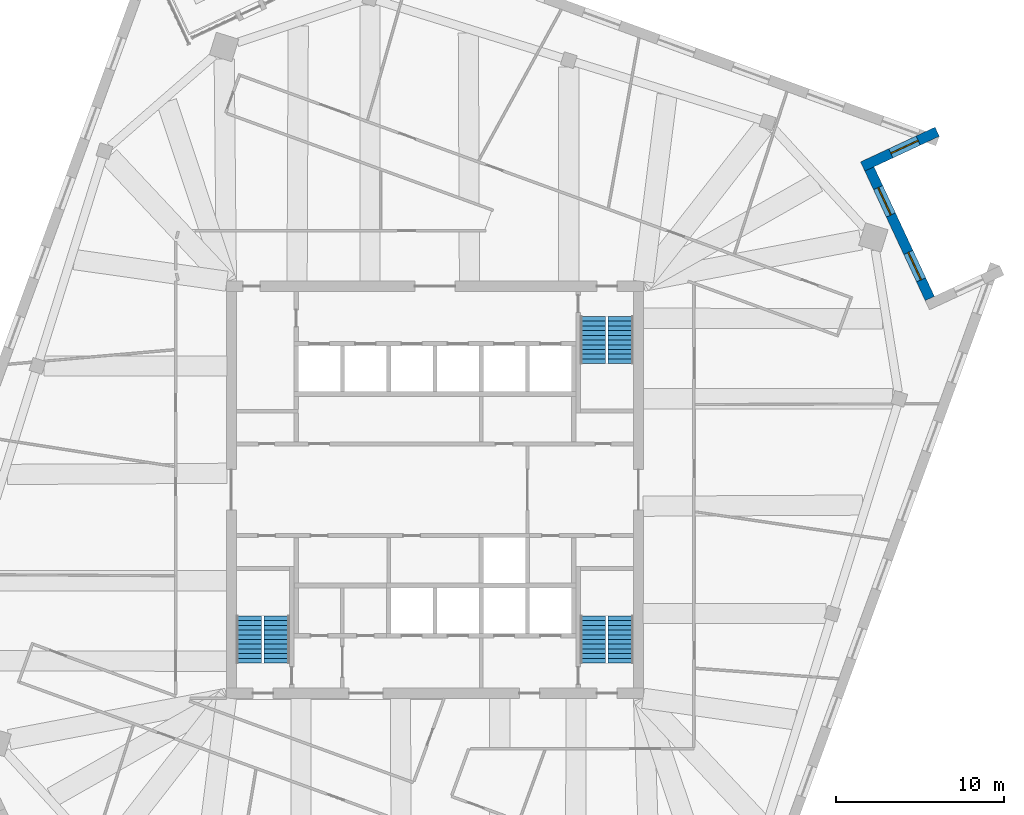
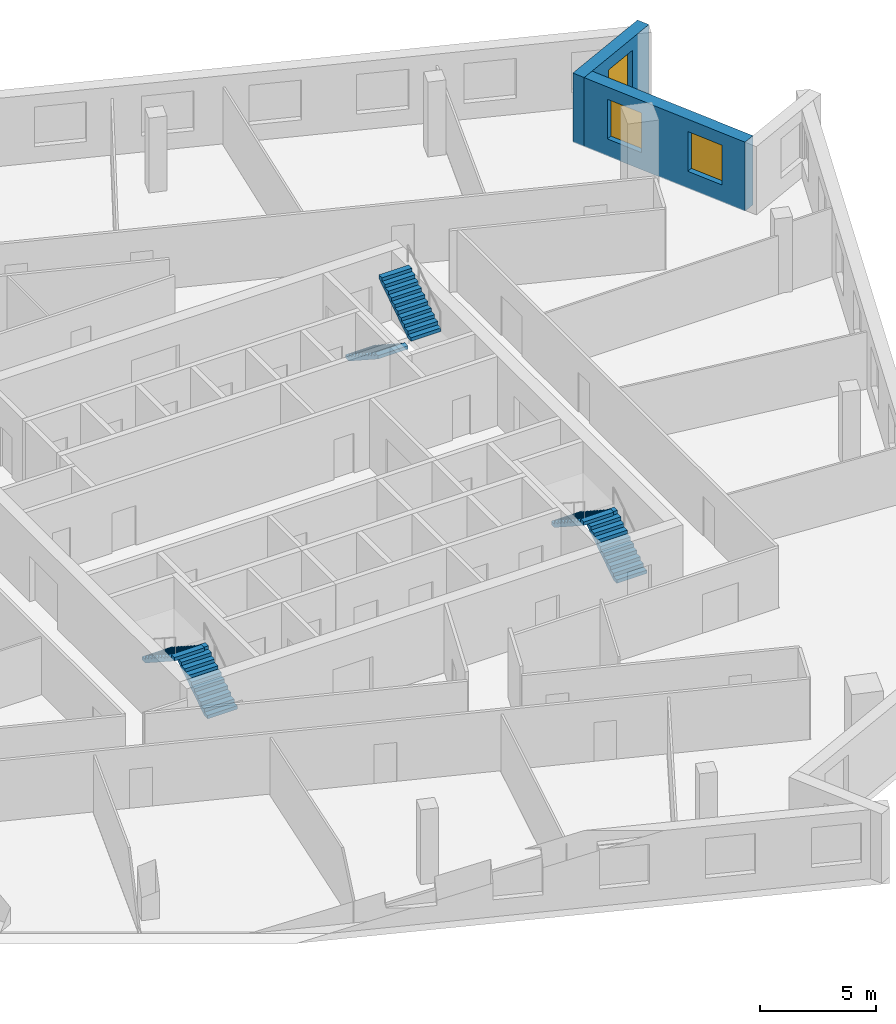
# One storey, part 11 of 13: 6 stair flights, 3 windows, 2 walls, 3 openings, 3 elements without a shape of their own.
"""IFC4 building model written with IfcOpenShell, lengths in metres."""

from ifc_helpers import new_model, si_unit, direction, frame, frame_2d, origin, place, context, subcontext, project, spatial, polyline, rectangle, outline, extrude, material, layer, layer_set, type_object, element, fill, aggregate, save


model = new_model("IFC4")

# Units and contexts
model_context = context("Model", 3, precision=1e-05, world=origin(), true_north=direction((0.0, 1.0)))
body_context = subcontext(model_context, "Body", "Model", "MODEL_VIEW")
ifc_project = project(units=[si_unit("LENGTHUNIT", "METRE"), si_unit("AREAUNIT", "SQUARE_METRE"), si_unit("VOLUMEUNIT", "CUBIC_METRE"), si_unit("PLANEANGLEUNIT", "RADIAN"), si_unit("MASSUNIT", "GRAM", prefix="KILO")], contexts=[model_context])

# Site, building, storey
site_placement = place(None, origin())
site = spatial("IfcSite", under=ifc_project, at=site_placement, CompositionType="ELEMENT")
building_placement = place(site_placement, origin())
building = spatial("IfcBuilding", under=site, at=building_placement, Name="Dilmun Exchange Tower", CompositionType="ELEMENT")
storey_placement = place(building_placement, frame((0.0, 0.0, 304.5)))
storey = spatial("IfcBuildingStorey", under=building, at=storey_placement, Name="L72", CompositionType="ELEMENT", Elevation=304.5)

# Wall, openings, windows
ifc_material_1 = material(Name="Precast concrete C50/60", Category="concrete")
ifc_layer = layer(ifc_material_1, 0.60009765625)
ifc_layer_set = layer_set([ifc_layer], Name="Precast concrete C50/60")
wall_type = type_object("IfcWallType", Name="Precast stone-clad wall 600", PredefinedType="STANDARD", material=ifc_layer_set)
wall_1_placement = place(storey_placement, frame((29.420654296875, 11.370361328125, 0.0), z_axis=(0.0, 0.0, 1.0), x_axis=(-0.42259769246, 0.906317378365, 0.0)))
wall_1 = element("IfcWall", 1, at=wall_1_placement, inside=storey, type_object=wall_type, Name="Facade wall L72-13", PredefinedType="STANDARD", context=body_context, shape_type="SweptSolid", body=[
    extrude(rectangle(XDim=8.5, YDim=0.60009765625, at=frame_2d((4.25, 0.0))), origin(), (0.0, 0.0, 1.0), 3.64990234375),
])
opening_1_placement = place(wall_1_placement, frame((1.22509765625, 0.0, 0.89990234375)))
opening_1 = element("IfcOpeningElement", 2, at=opening_1_placement, cuts=wall_1, Name="Opening W180-210", PredefinedType="OPENING", context=body_context, shape_type="SweptSolid", body=[
    extrude(rectangle(XDim=1.800048828125, YDim=2.10009765625, at=frame_2d((0.89990234375, 1.050048828125))), frame((0.0, 0.31005859375, 0.0), z_axis=(0.0, -1.0, 0.0), x_axis=(1.0, 0.0, 0.0)), (0.0, 0.0, 1.0), 0.6201171875),
])
opening_2_placement = place(wall_1_placement, frame((5.47509765625, 0.0, 0.89990234375)))
opening_2 = element("IfcOpeningElement", 3, at=opening_2_placement, cuts=wall_1, Name="Opening W180-210", PredefinedType="OPENING", context=body_context, shape_type="SweptSolid", body=[
    extrude(rectangle(XDim=1.800048828125, YDim=2.10009765625, at=frame_2d((0.89990234375, 1.050048828125))), frame((0.0, 0.31005859375, 0.0), z_axis=(0.0, -1.0, 0.0), x_axis=(1.0, 0.0, 0.0)), (0.0, 0.0, 1.0), 0.6201171875),
])
ifc_material_2 = material(Name="Clear low-emissivity glass in aluminium frame", Category="aluminium")
window_type = type_object("IfcWindowType", Name="Punched window 1800 x 2100", PartitioningType="DOUBLE_PANEL_VERTICAL", PredefinedType="WINDOW", material=ifc_material_2)
window_1_placement = place(opening_1_placement, origin())
window_1 = element("IfcWindow", 4, at=window_1_placement, inside=storey, type_object=window_type, Name="Window 14.1", OverallHeight=2.10009765625, OverallWidth=1.800048828125, PartitioningType="SINGLE_PANEL", PredefinedType="WINDOW", context=body_context, shape_type="SweptSolid", body=[
    extrude(rectangle(XDim=1.800048828125, YDim=2.10009765625, at=frame_2d((0.89990234375, 1.050048828125))), frame((0.0, 0.030029296875, 0.0), z_axis=(0.0, -1.0, 0.0), x_axis=(1.0, 0.0, 0.0)), (0.0, 0.0, 1.0), 0.06005859375),
])
fill(opening_1, window_1)
window_2_placement = place(opening_2_placement, origin())
window_2 = element("IfcWindow", 5, at=window_2_placement, inside=storey, type_object=window_type, Name="Window 14.2", OverallHeight=2.10009765625, OverallWidth=1.800048828125, PartitioningType="SINGLE_PANEL", PredefinedType="WINDOW", context=body_context, shape_type="SweptSolid", body=[
    extrude(rectangle(XDim=1.800048828125, YDim=2.10009765625, at=frame_2d((0.89990234375, 1.050048828125))), frame((0.0, 0.030029296875, 0.0), z_axis=(0.0, -1.0, 0.0), x_axis=(1.0, 0.0, 0.0)), (0.0, 0.0, 1.0), 0.06005859375),
])
fill(opening_2, window_2)

# Wall, opening, window
wall_2_placement = place(storey_placement, frame((25.4296875, 19.218994140625, 0.0), z_axis=(0.0, 0.0, 1.0), x_axis=(0.906315863802, 0.422600940628, 0.0)))
wall_2 = element("IfcWall", 6, at=wall_2_placement, inside=storey, type_object=wall_type, Name="Facade wall L72-14", PredefinedType="STANDARD", context=body_context, shape_type="SweptSolid", body=[
    extrude(rectangle(XDim=4.8857421875, YDim=0.60009765625, at=frame_2d((2.44287109375, 0.0))), origin(), (0.0, 0.0, 1.0), 3.64990234375),
])
opening_3_placement = place(wall_2_placement, frame((1.8427734375, 0.0, 0.89990234375)))
opening_3 = element("IfcOpeningElement", 7, at=opening_3_placement, cuts=wall_2, Name="Opening W180-210", PredefinedType="OPENING", context=body_context, shape_type="SweptSolid", body=[
    extrude(rectangle(XDim=1.800048828125, YDim=2.10009765625, at=frame_2d((0.89990234375, 1.050048828125))), frame((0.0, 0.31005859375, 0.0), z_axis=(0.0, -1.0, 0.0), x_axis=(1.0, 0.0, 0.0)), (0.0, 0.0, 1.0), 0.6201171875),
])
window_3_placement = place(opening_3_placement, origin())
window_3 = element("IfcWindow", 8, at=window_3_placement, inside=storey, type_object=window_type, Name="Window 15.1", OverallHeight=2.10009765625, OverallWidth=1.800048828125, PartitioningType="SINGLE_PANEL", PredefinedType="WINDOW", context=body_context, shape_type="SweptSolid", body=[
    extrude(rectangle(XDim=1.800048828125, YDim=2.10009765625, at=frame_2d((0.89990234375, 1.050048828125))), frame((0.0, 0.030029296875, 0.0), z_axis=(0.0, -1.0, 0.0), x_axis=(1.0, 0.0, 0.0)), (0.0, 0.0, 1.0), 0.06005859375),
])
fill(opening_3, window_3)

# Stair, stair flights
ifc_material_3 = material(Name="Concrete C40/50", Category="concrete")
stair_type = type_object("IfcStairType", Name="Exit stair 1500 half-turn", PredefinedType="HALF_TURN_STAIR", material=ifc_material_3)
stair_1_placement = place(storey_placement, origin())
stair_1 = element("IfcStair", 9, at=stair_1_placement, inside=storey, type_object=stair_type, Name="L72 Protected exit stair ST1", PredefinedType="HALF_TURN_STAIR")
stair_flight_type = type_object("IfcStairFlightType", Name="Exit stair flight 1500", PredefinedType="STRAIGHT", material=ifc_material_3)
stair_flight_1_placement = place(storey_placement, frame((9.39990234375, 10.300048828125, 0.0), z_axis=(0.0, 0.0, 1.0), x_axis=(0.0, -1.0, 0.0)))
stair_flight_1 = element("IfcStairFlight", 10, at=stair_flight_1_placement, type_object=stair_flight_type, Name="ST1 flight 1", NumberOfRisers=11, NumberOfTreads=10, PredefinedType="STRAIGHT", RiserHeight=0.181818182, TreadLength=0.28, context=body_context, shape_type="SweptSolid", body=[
    extrude(outline(polyline([(0.0, 0.0), (0.0, 0.181884765625), (0.280029296875, 0.181884765625), (0.280029296875, 0.363525390625), (0.56005859375, 0.363525390625), (0.56005859375, 0.54541015625), (0.840087890625, 0.54541015625), (0.840087890625, 0.727294921875), (1.1201171875, 0.727294921875), (1.1201171875, 0.9091796875), (1.39990234375, 0.9091796875), (1.39990234375, 1.0908203125), (1.679931640625, 1.0908203125), (1.679931640625, 1.272705078125), (1.9599609375, 1.272705078125), (1.9599609375, 1.45458984375), (2.239990234375, 1.45458984375), (2.239990234375, 1.636474609375), (2.52001953125, 1.636474609375), (2.52001953125, 1.818115234375), (2.800048828125, 1.818115234375), (2.800048828125, 2.0), (2.800048828125, 1.639404296875), (0.275146484375, 0.0), (0.0, 0.0)])), frame((0.0, 0.75, 0.0), z_axis=(0.0, -1.0, 0.0), x_axis=(1.0, 0.0, 0.0)), (0.0, 0.0, 1.0), 1.5),
])
stair_flight_2_placement = place(storey_placement, frame((11.050048828125, 7.5, 2.0), z_axis=(0.0, 0.0, 1.0), x_axis=(0.0, 1.0, 0.0)))
stair_flight_2 = element("IfcStairFlight", 11, at=stair_flight_2_placement, type_object=stair_flight_type, Name="ST1 flight 2", NumberOfRisers=11, NumberOfTreads=10, PredefinedType="STRAIGHT", RiserHeight=0.181818182, TreadLength=0.28, context=body_context, shape_type="SweptSolid", body=[
    extrude(outline(polyline([(0.0, 0.0), (0.0, 0.181884765625), (0.280029296875, 0.181884765625), (0.280029296875, 0.363525390625), (0.56005859375, 0.363525390625), (0.56005859375, 0.54541015625), (0.840087890625, 0.54541015625), (0.840087890625, 0.727294921875), (1.1201171875, 0.727294921875), (1.1201171875, 0.9091796875), (1.39990234375, 0.9091796875), (1.39990234375, 1.0908203125), (1.679931640625, 1.0908203125), (1.679931640625, 1.272705078125), (1.9599609375, 1.272705078125), (1.9599609375, 1.45458984375), (2.239990234375, 1.45458984375), (2.239990234375, 1.636474609375), (2.52001953125, 1.636474609375), (2.52001953125, 1.818115234375), (2.800048828125, 1.818115234375), (2.800048828125, 2.0), (2.800048828125, 1.639404296875), (0.275146484375, 0.0), (0.0, 0.0)])), frame((0.0, 0.75, 0.0), z_axis=(0.0, -1.0, 0.0), x_axis=(1.0, 0.0, 0.0)), (0.0, 0.0, 1.0), 1.5),
])
aggregate(stair_1, [stair_flight_1, stair_flight_2])

stair_2_placement = place(storey_placement, origin())
stair_2 = element("IfcStair", 12, at=stair_2_placement, inside=storey, type_object=stair_type, Name="L72 Protected exit stair ST2", PredefinedType="HALF_TURN_STAIR")
stair_flight_3_placement = place(storey_placement, frame((-9.39990234375, -10.300048828125, 0.0), z_axis=(0.0, 0.0, 1.0), x_axis=(0.0, 1.0, 0.0)))
stair_flight_3 = element("IfcStairFlight", 13, at=stair_flight_3_placement, type_object=stair_flight_type, Name="ST2 flight 1", NumberOfRisers=11, NumberOfTreads=10, PredefinedType="STRAIGHT", RiserHeight=0.181818182, TreadLength=0.28, context=body_context, shape_type="SweptSolid", body=[
    extrude(outline(polyline([(0.0, 0.0), (0.0, 0.181884765625), (0.280029296875, 0.181884765625), (0.280029296875, 0.363525390625), (0.56005859375, 0.363525390625), (0.56005859375, 0.54541015625), (0.840087890625, 0.54541015625), (0.840087890625, 0.727294921875), (1.1201171875, 0.727294921875), (1.1201171875, 0.9091796875), (1.39990234375, 0.9091796875), (1.39990234375, 1.0908203125), (1.679931640625, 1.0908203125), (1.679931640625, 1.272705078125), (1.9599609375, 1.272705078125), (1.9599609375, 1.45458984375), (2.239990234375, 1.45458984375), (2.239990234375, 1.636474609375), (2.52001953125, 1.636474609375), (2.52001953125, 1.818115234375), (2.800048828125, 1.818115234375), (2.800048828125, 2.0), (2.800048828125, 1.639404296875), (0.275146484375, 0.0), (0.0, 0.0)])), frame((0.0, 0.75, 0.0), z_axis=(0.0, -1.0, 0.0), x_axis=(1.0, 0.0, 0.0)), (0.0, 0.0, 1.0), 1.5),
])
stair_flight_4_placement = place(storey_placement, frame((-11.050048828125, -7.5, 2.0), z_axis=(0.0, 0.0, 1.0), x_axis=(0.0, -1.0, 0.0)))
stair_flight_4 = element("IfcStairFlight", 14, at=stair_flight_4_placement, type_object=stair_flight_type, Name="ST2 flight 2", NumberOfRisers=11, NumberOfTreads=10, PredefinedType="STRAIGHT", RiserHeight=0.181818182, TreadLength=0.28, context=body_context, shape_type="SweptSolid", body=[
    extrude(outline(polyline([(0.0, 0.0), (0.0, 0.181884765625), (0.280029296875, 0.181884765625), (0.280029296875, 0.363525390625), (0.56005859375, 0.363525390625), (0.56005859375, 0.54541015625), (0.840087890625, 0.54541015625), (0.840087890625, 0.727294921875), (1.1201171875, 0.727294921875), (1.1201171875, 0.9091796875), (1.39990234375, 0.9091796875), (1.39990234375, 1.0908203125), (1.679931640625, 1.0908203125), (1.679931640625, 1.272705078125), (1.9599609375, 1.272705078125), (1.9599609375, 1.45458984375), (2.239990234375, 1.45458984375), (2.239990234375, 1.636474609375), (2.52001953125, 1.636474609375), (2.52001953125, 1.818115234375), (2.800048828125, 1.818115234375), (2.800048828125, 2.0), (2.800048828125, 1.639404296875), (0.275146484375, 0.0), (0.0, 0.0)])), frame((0.0, 0.75, 0.0), z_axis=(0.0, -1.0, 0.0), x_axis=(1.0, 0.0, 0.0)), (0.0, 0.0, 1.0), 1.5),
])
aggregate(stair_2, [stair_flight_3, stair_flight_4])

stair_3_placement = place(storey_placement, origin())
stair_3 = element("IfcStair", 15, at=stair_3_placement, inside=storey, type_object=stair_type, Name="L72 Protected exit stair ST3", PredefinedType="HALF_TURN_STAIR")
stair_flight_5_placement = place(storey_placement, frame((11.050048828125, -10.300048828125, 0.0), z_axis=(0.0, 0.0, 1.0), x_axis=(0.0, 1.0, 0.0)))
stair_flight_5 = element("IfcStairFlight", 16, at=stair_flight_5_placement, type_object=stair_flight_type, Name="ST3 flight 1", NumberOfRisers=11, NumberOfTreads=10, PredefinedType="STRAIGHT", RiserHeight=0.181818182, TreadLength=0.28, context=body_context, shape_type="SweptSolid", body=[
    extrude(outline(polyline([(0.0, 0.0), (0.0, 0.181884765625), (0.280029296875, 0.181884765625), (0.280029296875, 0.363525390625), (0.56005859375, 0.363525390625), (0.56005859375, 0.54541015625), (0.840087890625, 0.54541015625), (0.840087890625, 0.727294921875), (1.1201171875, 0.727294921875), (1.1201171875, 0.9091796875), (1.39990234375, 0.9091796875), (1.39990234375, 1.0908203125), (1.679931640625, 1.0908203125), (1.679931640625, 1.272705078125), (1.9599609375, 1.272705078125), (1.9599609375, 1.45458984375), (2.239990234375, 1.45458984375), (2.239990234375, 1.636474609375), (2.52001953125, 1.636474609375), (2.52001953125, 1.818115234375), (2.800048828125, 1.818115234375), (2.800048828125, 2.0), (2.800048828125, 1.639404296875), (0.275146484375, 0.0), (0.0, 0.0)])), frame((0.0, 0.75, 0.0), z_axis=(0.0, -1.0, 0.0), x_axis=(1.0, 0.0, 0.0)), (0.0, 0.0, 1.0), 1.5),
])
stair_flight_6_placement = place(storey_placement, frame((9.39990234375, -7.5, 2.0), z_axis=(0.0, 0.0, 1.0), x_axis=(0.0, -1.0, 0.0)))
stair_flight_6 = element("IfcStairFlight", 17, at=stair_flight_6_placement, type_object=stair_flight_type, Name="ST3 flight 2", NumberOfRisers=11, NumberOfTreads=10, PredefinedType="STRAIGHT", RiserHeight=0.181818182, TreadLength=0.28, context=body_context, shape_type="SweptSolid", body=[
    extrude(outline(polyline([(0.0, 0.0), (0.0, 0.181884765625), (0.280029296875, 0.181884765625), (0.280029296875, 0.363525390625), (0.56005859375, 0.363525390625), (0.56005859375, 0.54541015625), (0.840087890625, 0.54541015625), (0.840087890625, 0.727294921875), (1.1201171875, 0.727294921875), (1.1201171875, 0.9091796875), (1.39990234375, 0.9091796875), (1.39990234375, 1.0908203125), (1.679931640625, 1.0908203125), (1.679931640625, 1.272705078125), (1.9599609375, 1.272705078125), (1.9599609375, 1.45458984375), (2.239990234375, 1.45458984375), (2.239990234375, 1.636474609375), (2.52001953125, 1.636474609375), (2.52001953125, 1.818115234375), (2.800048828125, 1.818115234375), (2.800048828125, 2.0), (2.800048828125, 1.639404296875), (0.275146484375, 0.0), (0.0, 0.0)])), frame((0.0, 0.75, 0.0), z_axis=(0.0, -1.0, 0.0), x_axis=(1.0, 0.0, 0.0)), (0.0, 0.0, 1.0), 1.5),
])
aggregate(stair_3, [stair_flight_5, stair_flight_6])

save(model, "model.ifc")
